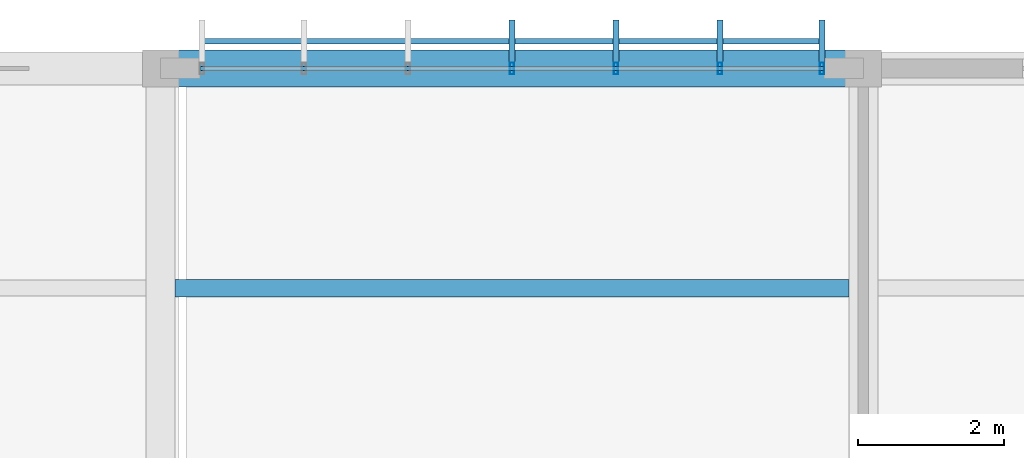
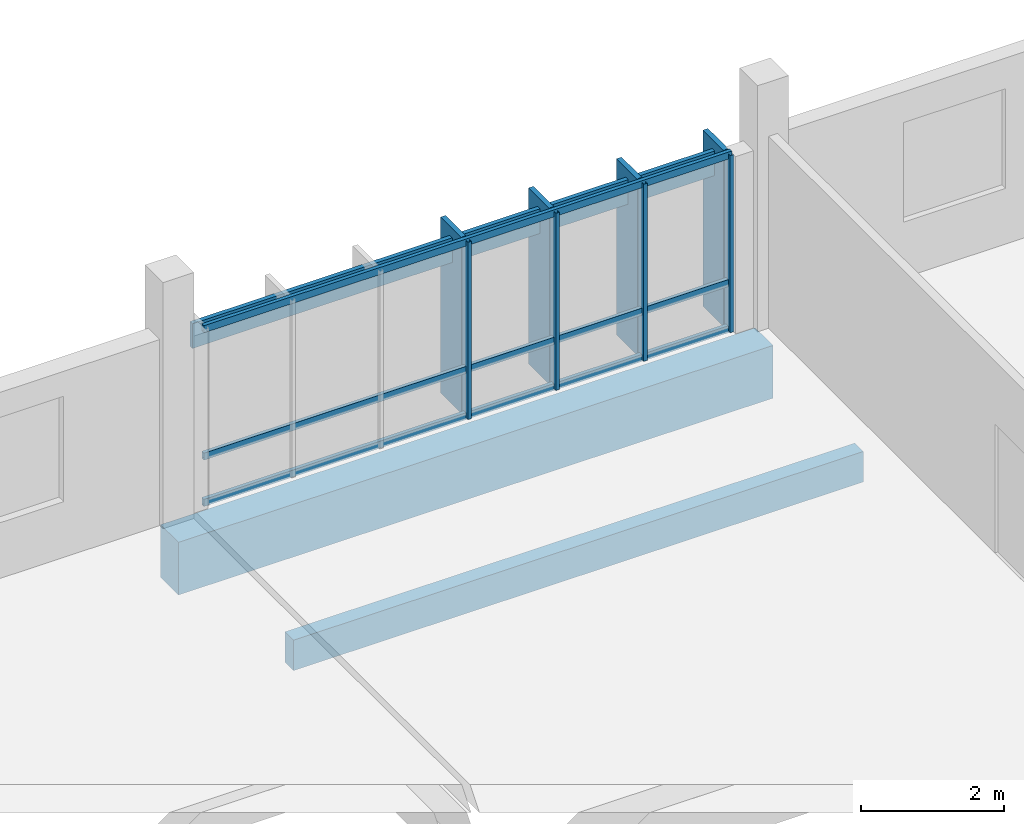
# One storey, part 136 of 182: 12 members, 2 beams, 1 element without a shape of its own.
"""IFC4 building model written with IfcOpenShell, lengths in metres."""

from ifc_helpers import new_model, si_unit, direction, frame, origin, origin_2d, place, context, subcontext, project, spatial, rectangle, hollow_rectangle, extrude, material, material_profile, profile_set, type_object, element, aggregate, save


model = new_model("IFC4")

# Units and contexts
model_context = context("Model", 3, precision=1e-05, world=origin(), true_north=direction((0.0, 1.0)))
body_context = subcontext(model_context, "Body", "Model", "MODEL_VIEW")
ifc_project = project(units=[si_unit("LENGTHUNIT", "METRE"), si_unit("AREAUNIT", "SQUARE_METRE"), si_unit("VOLUMEUNIT", "CUBIC_METRE"), si_unit("PLANEANGLEUNIT", "RADIAN"), si_unit("MASSUNIT", "GRAM", prefix="KILO")], contexts=[model_context])

# Site, building, storey
site_placement = place(None, origin())
site = spatial("IfcSite", under=ifc_project, at=site_placement, CompositionType="ELEMENT")
building_placement = place(site_placement, origin())
building = spatial("IfcBuilding", under=site, at=building_placement, Name="Chiffa Square Polytechnic", CompositionType="ELEMENT")
storey_placement = place(building_placement, frame((0.0, 0.0, 9.60009765625)))
storey = spatial("IfcBuildingStorey", under=building, at=storey_placement, Name="L02", CompositionType="ELEMENT", Elevation=9.60009765625)

# Beam
ifc_material_1 = material(Name="Concrete C40/50", Category="concrete")
ifc_material_profile_1 = material_profile(ifc_material_1, rectangle(XDim=0.5, YDim=0.89990234375, at=origin_2d()), Name="RC 500x900")
ifc_profile_set_1 = profile_set([ifc_material_profile_1], Name="Concrete C40/50")
beam_type_1 = type_object("IfcBeamType", Name="BM-RC-500X900", PredefinedType="BEAM", material=ifc_profile_set_1)
beam_1_placement = place(storey_placement, frame((111.60009765625, 130.800048828125, -0.77001953125), z_axis=(1.0, 0.0, 0.0), x_axis=(0.0, 1.0, 0.0)))
element("IfcBeam", 1, at=beam_1_placement, inside=storey, type_object=beam_type_1, Name="Primary floor girder BM-V5-L02-X-1116-1308", PredefinedType="BEAM", context=body_context, shape_type="SweptSolid", body=[
    extrude(rectangle(XDim=0.5, YDim=0.89990234375, at=origin_2d()), origin(), (0.0, 0.0, 1.0), 9.599853515625),
])

# Curtain wall, members
ifc_material_2 = material(Name="Aluminium EN AW-6060 T66 and glulam shading", Category="wood")
curtain_wall_type = type_object("IfcCurtainWallType", Name="CW-VERT-450X380", PredefinedType="USERDEFINED", material=ifc_material_2)
curtain_wall_placement = place(storey_placement, origin())
curtain_wall = element("IfcCurtainWall", 2, at=curtain_wall_placement, inside=storey, type_object=curtain_wall_type, Name="Curtain wall CW-V5-L02-218", ObjectType="CURTAIN WALL", PredefinedType="USERDEFINED")
ifc_material_3 = material(Name="Aluminium EN AW-6060 T66", Category="aluminium")
ifc_material_profile_2 = material_profile(ifc_material_3, hollow_rectangle(XDim=0.06005859375, YDim=0.159912109375, WallThickness=0.00390625, at=origin_2d()), Name="ALU 60x160x4")
ifc_profile_set_2 = profile_set([ifc_material_profile_2], Name="Aluminium EN AW-6060 T66")
member_type_1 = type_object("IfcMemberType", Name="CWM-ALU-65X150", PredefinedType="MULLION", material=ifc_profile_set_2)
member_1_placement = place(storey_placement, frame((120.635009765625, 130.800048828125, 0.0), z_axis=(0.0, 0.0, 1.0), x_axis=(1.0, 0.0, 0.0)))
member_1 = element("IfcMember", 3, at=member_1_placement, type_object=member_type_1, Name="Curtain wall mullion CW-V5-L02-218-M00", PredefinedType="MULLION", context=body_context, shape_type="SweptSolid", body=[
    extrude(hollow_rectangle(XDim=0.06005859375, YDim=0.159912109375, WallThickness=0.00390625, at=origin_2d()), origin(), (0.0, 0.0, 1.0), 3.02490234375),
])
member_2_placement = place(storey_placement, frame((119.239990234375, 130.800048828125, 0.0), z_axis=(0.0, 0.0, 1.0), x_axis=(1.0, 0.0, 0.0)))
member_2 = element("IfcMember", 4, at=member_2_placement, type_object=member_type_1, Name="Curtain wall mullion CW-V5-L02-218-M01", PredefinedType="MULLION", context=body_context, shape_type="SweptSolid", body=[
    extrude(hollow_rectangle(XDim=0.06005859375, YDim=0.159912109375, WallThickness=0.00390625, at=origin_2d()), origin(), (0.0, 0.0, 1.0), 3.02490234375),
])
member_3_placement = place(storey_placement, frame((117.820068359375, 130.800048828125, 0.0), z_axis=(0.0, 0.0, 1.0), x_axis=(1.0, 0.0, 0.0)))
member_3 = element("IfcMember", 5, at=member_3_placement, type_object=member_type_1, Name="Curtain wall mullion CW-V5-L02-218-M02", PredefinedType="MULLION", context=body_context, shape_type="SweptSolid", body=[
    extrude(hollow_rectangle(XDim=0.06005859375, YDim=0.159912109375, WallThickness=0.00390625, at=origin_2d()), origin(), (0.0, 0.0, 1.0), 3.02490234375),
])
member_4_placement = place(storey_placement, frame((116.39990234375, 130.800048828125, 0.0), z_axis=(0.0, 0.0, 1.0), x_axis=(1.0, 0.0, 0.0)))
member_4 = element("IfcMember", 6, at=member_4_placement, type_object=member_type_1, Name="Curtain wall mullion CW-V5-L02-218-M03", PredefinedType="MULLION", context=body_context, shape_type="SweptSolid", body=[
    extrude(hollow_rectangle(XDim=0.06005859375, YDim=0.159912109375, WallThickness=0.00390625, at=origin_2d()), origin(), (0.0, 0.0, 1.0), 3.02490234375),
])
ifc_material_4 = material(Name="Glulam GL28h", Category="wood")
ifc_material_profile_3 = material_profile(ifc_material_4, rectangle(XDim=0.080078125, YDim=0.580078125, at=origin_2d()), Name="GL28h 80x580")
ifc_profile_set_3 = profile_set([ifc_material_profile_3], Name="Glulam GL28h")
member_type_2 = type_object("IfcMemberType", Name="CWM-GL-80X580", PredefinedType="MULLION", material=ifc_profile_set_3)
member_5_placement = place(storey_placement, frame((120.635009765625, 131.172119140625, 0.010009765625), z_axis=(0.0, 0.0, 1.0), x_axis=(-1.0, 0.0, 0.0)))
member_5 = element("IfcMember", 7, at=member_5_placement, type_object=member_type_2, Name="Exterior glulam solar fin CW-V5-L02-218-FN00", PredefinedType="MULLION", context=body_context, shape_type="SweptSolid", body=[
    extrude(rectangle(XDim=0.080078125, YDim=0.580078125, at=origin_2d()), origin(), (0.0, 0.0, 1.0), 3.0048828125),
])
member_6_placement = place(storey_placement, frame((119.239990234375, 131.172119140625, 0.010009765625), z_axis=(0.0, 0.0, 1.0), x_axis=(-1.0, 0.0, 0.0)))
member_6 = element("IfcMember", 8, at=member_6_placement, type_object=member_type_2, Name="Exterior glulam solar fin CW-V5-L02-218-FN01", PredefinedType="MULLION", context=body_context, shape_type="SweptSolid", body=[
    extrude(rectangle(XDim=0.080078125, YDim=0.580078125, at=origin_2d()), origin(), (0.0, 0.0, 1.0), 3.0048828125),
])
member_7_placement = place(storey_placement, frame((117.820068359375, 131.172119140625, 0.010009765625), z_axis=(0.0, 0.0, 1.0), x_axis=(-1.0, 0.0, 0.0)))
member_7 = element("IfcMember", 9, at=member_7_placement, type_object=member_type_2, Name="Exterior glulam solar fin CW-V5-L02-218-FN02", PredefinedType="MULLION", context=body_context, shape_type="SweptSolid", body=[
    extrude(rectangle(XDim=0.080078125, YDim=0.580078125, at=origin_2d()), origin(), (0.0, 0.0, 1.0), 3.0048828125),
])
member_8_placement = place(storey_placement, frame((116.39990234375, 131.172119140625, 0.010009765625), z_axis=(0.0, 0.0, 1.0), x_axis=(-1.0, 0.0, 0.0)))
member_8 = element("IfcMember", 10, at=member_8_placement, type_object=member_type_2, Name="Exterior glulam solar fin CW-V5-L02-218-FN03", PredefinedType="MULLION", context=body_context, shape_type="SweptSolid", body=[
    extrude(rectangle(XDim=0.080078125, YDim=0.580078125, at=origin_2d()), origin(), (0.0, 0.0, 1.0), 3.0048828125),
])
ifc_material_profile_4 = material_profile(ifc_material_3, hollow_rectangle(XDim=0.06005859375, YDim=0.1201171875, WallThickness=0.00390625, at=origin_2d()), Name="ALU 60x120x4")
ifc_profile_set_4 = profile_set([ifc_material_profile_4], Name="Aluminium EN AW-6060 T66")
member_type_3 = type_object("IfcMemberType", Name="CWT-ALU-65X120", PredefinedType="USERDEFINED", material=ifc_profile_set_4)
member_9_placement = place(storey_placement, frame((120.662109375, 130.800048828125, 0.02978515625), z_axis=(-1.0, 0.0, 0.0), x_axis=(0.0, -1.0, 0.0)))
member_9 = element("IfcMember", 11, at=member_9_placement, type_object=member_type_3, Name="Curtain wall transom CW-V5-L02-218-T01", ObjectType="TRANSOM", PredefinedType="USERDEFINED", context=body_context, shape_type="SweptSolid", body=[
    extrude(hollow_rectangle(XDim=0.06005859375, YDim=0.1201171875, WallThickness=0.00390625, at=origin_2d()), origin(), (0.0, 0.0, 1.0), 8.524169921875),
])
member_10_placement = place(storey_placement, frame((120.662109375, 130.800048828125, 0.81982421875), z_axis=(-1.0, 0.0, 0.0), x_axis=(0.0, -1.0, 0.0)))
member_10 = element("IfcMember", 12, at=member_10_placement, type_object=member_type_3, Name="Curtain wall transom CW-V5-L02-218-T02", ObjectType="TRANSOM", PredefinedType="USERDEFINED", context=body_context, shape_type="SweptSolid", body=[
    extrude(hollow_rectangle(XDim=0.06005859375, YDim=0.1201171875, WallThickness=0.00390625, at=origin_2d()), origin(), (0.0, 0.0, 1.0), 8.524169921875),
])
member_11_placement = place(storey_placement, frame((120.662109375, 130.800048828125, 2.994873046875), z_axis=(-1.0, 0.0, 0.0), x_axis=(0.0, -1.0, 0.0)))
member_11 = element("IfcMember", 13, at=member_11_placement, type_object=member_type_3, Name="Curtain wall transom CW-V5-L02-218-T03", ObjectType="TRANSOM", PredefinedType="USERDEFINED", context=body_context, shape_type="SweptSolid", body=[
    extrude(hollow_rectangle(XDim=0.06005859375, YDim=0.1201171875, WallThickness=0.00390625, at=origin_2d()), origin(), (0.0, 0.0, 1.0), 8.524169921875),
])
ifc_material_profile_5 = material_profile(ifc_material_4, rectangle(XDim=0.070068359375, YDim=0.419921875, at=origin_2d()), Name="GL28h 70x420")
ifc_profile_set_5 = profile_set([ifc_material_profile_5], Name="Glulam GL28h")
member_type_4 = type_object("IfcMemberType", Name="CWT-GL-70X420", PredefinedType="USERDEFINED", material=ifc_profile_set_5)
member_12_placement = place(storey_placement, frame((120.635009765625, 131.172119140625, 2.64501953125), z_axis=(-1.0, 0.0, 0.0), x_axis=(0.0, -1.0, 0.0)))
member_12 = element("IfcMember", 14, at=member_12_placement, type_object=member_type_4, Name="Exterior glulam brise-soleil CW-V5-L02-218-BS01", ObjectType="TRANSOM", PredefinedType="USERDEFINED", context=body_context, shape_type="SweptSolid", body=[
    extrude(rectangle(XDim=0.070068359375, YDim=0.419921875, at=origin_2d()), origin(), (0.0, 0.0, 1.0), 8.469970703125),
])
aggregate(curtain_wall, [member_1, member_5, member_2, member_6, member_3, member_7, member_4, member_8, member_9, member_10, member_11, member_12])

# Beam
ifc_material_profile_6 = material_profile(ifc_material_4, rectangle(XDim=0.239990234375, YDim=0.52001953125, at=origin_2d()), Name="GL28h 240x520")
ifc_profile_set_6 = profile_set([ifc_material_profile_6], Name="Glulam GL28h")
beam_type_2 = type_object("IfcBeamType", Name="JST-GL-240X520", PredefinedType="JOIST", material=ifc_profile_set_6)
beam_2_placement = place(storey_placement, frame((111.798095703125, 127.800048828125, -0.580078125), z_axis=(1.0, 0.0, 0.0), x_axis=(0.0, 1.0, 0.0)))
element("IfcBeam", 15, at=beam_2_placement, inside=storey, type_object=beam_type_2, Name="Secondary floor joist JST-V5-L02-1116-1278", PredefinedType="JOIST", context=body_context, shape_type="SweptSolid", body=[
    extrude(rectangle(XDim=0.239990234375, YDim=0.52001953125, at=origin_2d()), origin(), (0.0, 0.0, 1.0), 9.203857421875),
])

save(model, "model.ifc")
